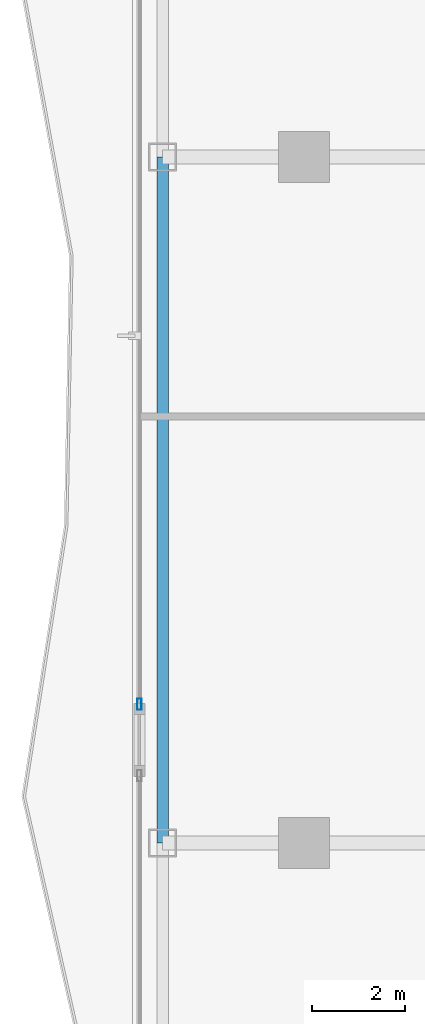
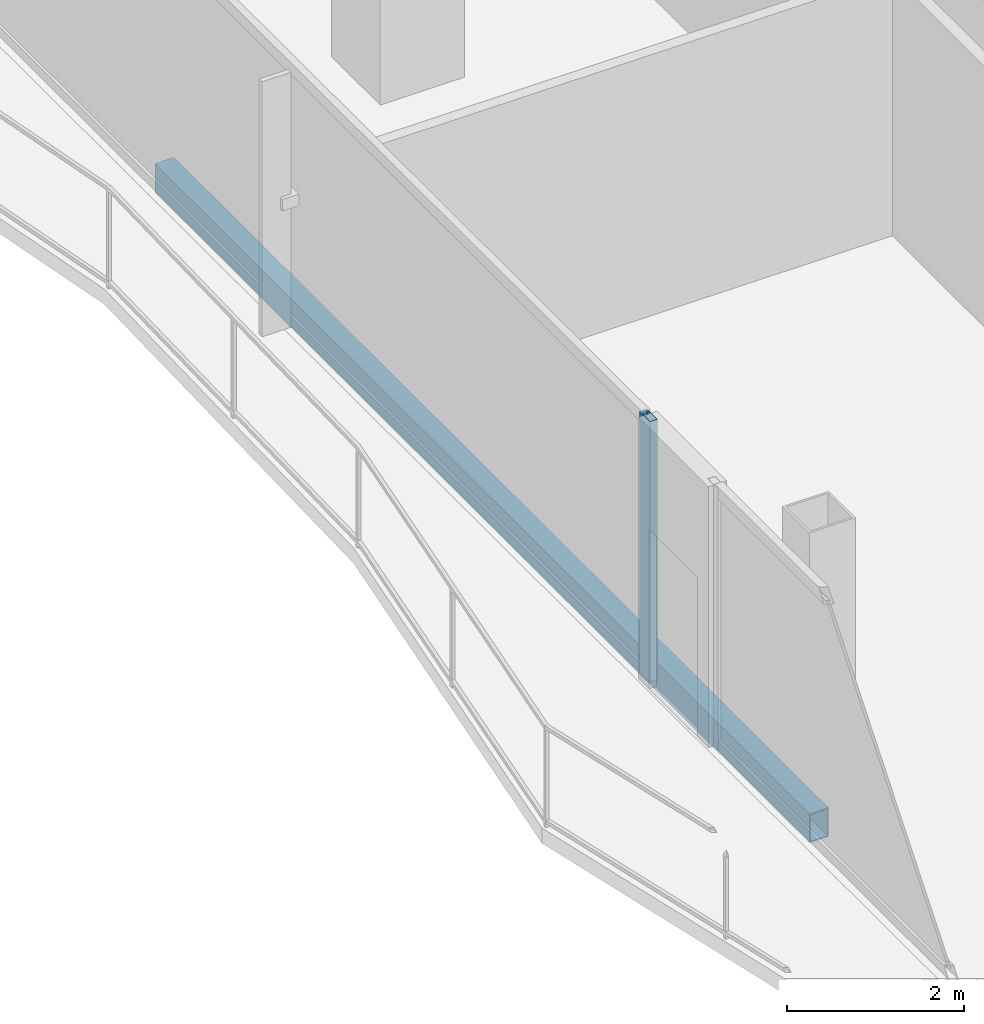
# One storey, part 8 of 27: 1 beam, 1 member, 1 element without a shape of its own.
"""IFC4 building model written with IfcOpenShell, lengths in metres."""

from ifc_helpers import new_model, si_unit, direction, frame, origin, origin_2d, place, context, subcontext, project, spatial, hollow_rectangle, extrude, material, layer, layer_set, material_profile, profile_set, type_object, element, aggregate, save


model = new_model("IFC4")

# Units and contexts
model_context = context("Model", 3, precision=1e-05, world=origin(), true_north=direction((0.0, 1.0)))
body_context = subcontext(model_context, "Body", "Model", "MODEL_VIEW")
ifc_project = project(units=[si_unit("LENGTHUNIT", "METRE"), si_unit("AREAUNIT", "SQUARE_METRE"), si_unit("VOLUMEUNIT", "CUBIC_METRE"), si_unit("PLANEANGLEUNIT", "RADIAN"), si_unit("MASSUNIT", "GRAM", prefix="KILO")], contexts=[model_context])

# Site, building, storey
site_placement = place(None, origin())
site = spatial("IfcSite", under=ifc_project, at=site_placement, CompositionType="ELEMENT")
building_placement = place(site_placement, origin())
building = spatial("IfcBuilding", under=site, at=building_placement, Name="Khorvyn Point Tower", CompositionType="ELEMENT")
storey_placement = place(building_placement, frame((0.0, 0.0, 231.300048828125)))
storey = spatial("IfcBuildingStorey", under=building, at=storey_placement, Name="L57", CompositionType="ELEMENT", Elevation=231.300048828125)

# Curtain wall, member
ifc_material_1 = material(Name="Anodised aluminium 6063-T6 and laminated Low-E glass", Category="aluminium")
ifc_layer = layer(ifc_material_1, 0.18994140625)
ifc_layer_set = layer_set([ifc_layer], Name="Stick-Built Acoustic Curtain Wall CW-SYS-03")
curtain_wall_type = type_object("IfcCurtainWallType", Name="Stick-Built Acoustic Curtain Wall CW-SYS-03", PredefinedType="NOTDEFINED", material=ifc_layer_set)
curtain_wall_placement = place(storey_placement, origin())
curtain_wall = element("IfcCurtainWall", 1, at=curtain_wall_placement, inside=storey, type_object=curtain_wall_type, Name="Curtain Wall", PredefinedType="NOTDEFINED")
ifc_material_2 = material(Name="Anodised aluminium 6063-T6", Category="aluminium")
ifc_material_profile_1 = material_profile(ifc_material_2, hollow_rectangle(XDim=0.10009765625, YDim=0.239990234375, WallThickness=0.0048828125, at=origin_2d()))
ifc_profile_set_1 = profile_set([ifc_material_profile_1], Name="Anodised aluminium 6063-T6 ALU-MUL-100x240")
member_type = type_object("IfcMemberType", Name="Anodised Aluminium 6063-T6 Mullion ALU-MUL-100x240", PredefinedType="MULLION", material=ifc_profile_set_1)
member_placement = place(storey_placement, frame((-18.35009765625, -4.409912109375, 0.0), z_axis=(0.0, 0.0, 1.0), x_axis=(-1.0, 0.0, 0.0)))
member = element("IfcMember", 2, at=member_placement, type_object=member_type, Name="Transom", PredefinedType="MULLION", context=body_context, shape_type="SweptSolid", body=[
    extrude(hollow_rectangle(XDim=0.10009765625, YDim=0.239990234375, WallThickness=0.0048828125, at=origin_2d()), origin(), (0.0, 0.0, 1.0), 3.599853515625),
])
aggregate(curtain_wall, [member])

# Beam
ifc_material_3 = material(Name="Steel S355", Category="steel")
ifc_material_profile_2 = material_profile(ifc_material_3, hollow_rectangle(XDim=0.25, YDim=0.39990234375, WallThickness=0.01611328125, at=origin_2d()))
ifc_profile_set_2 = profile_set([ifc_material_profile_2], Name="Steel S355 RHS400x250x16")
beam_type = type_object("IfcBeamType", Name="Steel S355 Spandrel RHS400x250x16", PredefinedType="SPANDREL", material=ifc_profile_set_2)
beam_placement = place(storey_placement, frame((-17.85009765625, -7.39990234375, -0.420166015625), z_axis=(0.0, 1.0, 0.0), x_axis=(-1.0, 0.0, 0.0)))
element("IfcBeam", 3, at=beam_placement, inside=storey, type_object=beam_type, Name="Beam", PredefinedType="SPANDREL", context=body_context, shape_type="SweptSolid", body=[
    extrude(hollow_rectangle(XDim=0.25, YDim=0.39990234375, WallThickness=0.01611328125, at=origin_2d()), origin(), (0.0, 0.0, 1.0), 14.7998046875),
])

save(model, "model.ifc")
